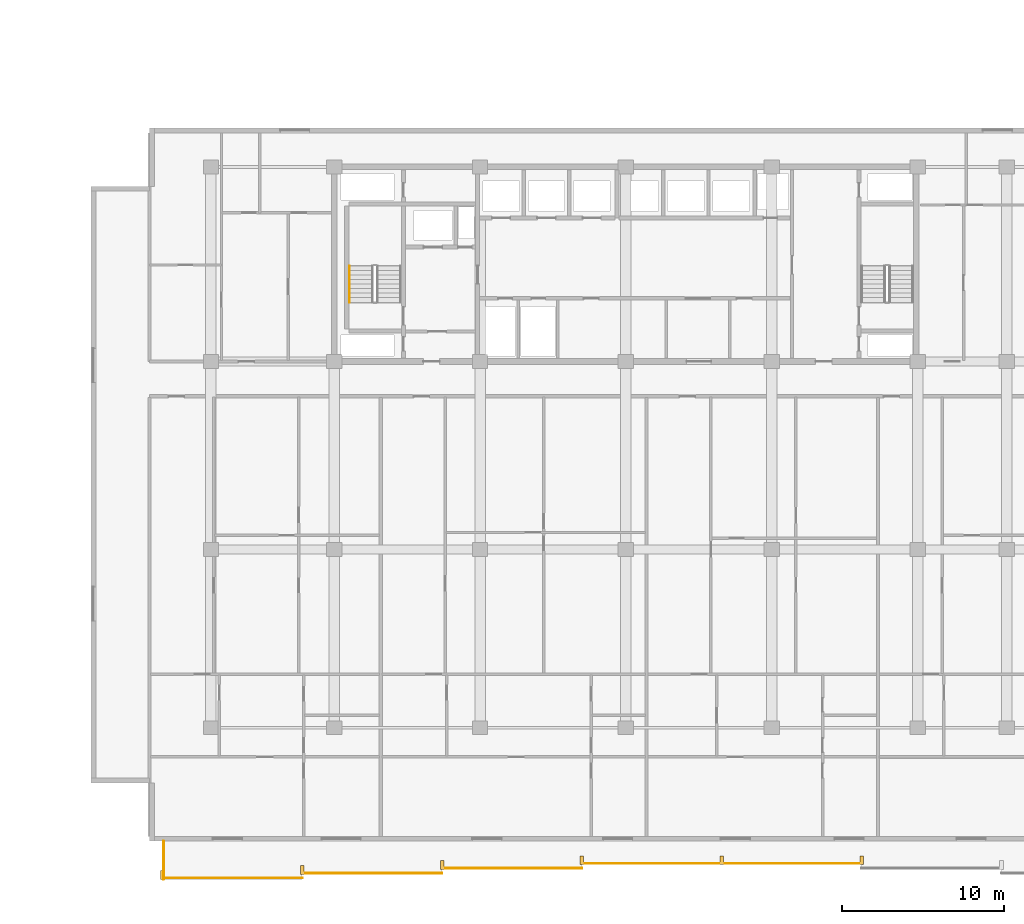
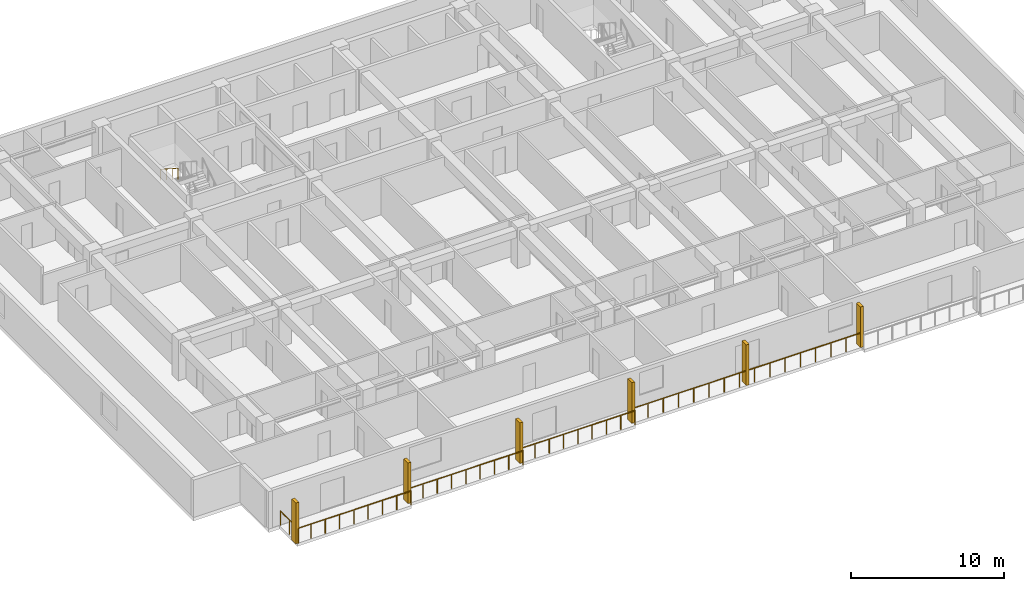
# One storey, part 19 of 23: 6 railings, 6 shading devices.
"""IFC4 building model written with IfcOpenShell, lengths in metres."""

from ifc_helpers import new_model, si_unit, direction, frame, origin, origin_2d, place, context, subcontext, project, spatial, rectangle, circle, extrude, material, type_object, element, save


model = new_model("IFC4")

# Units and contexts
model_context = context("Model", 3, precision=1e-05, world=origin(), true_north=direction((0.0, 1.0)))
body_context = subcontext(model_context, "Body", "Model", "MODEL_VIEW")
ifc_project = project(units=[si_unit("LENGTHUNIT", "METRE"), si_unit("AREAUNIT", "SQUARE_METRE"), si_unit("VOLUMEUNIT", "CUBIC_METRE"), si_unit("PLANEANGLEUNIT", "RADIAN"), si_unit("MASSUNIT", "GRAM", prefix="KILO")], contexts=[model_context])

# Site, building, storey
site_placement = place(None, origin())
site = spatial("IfcSite", under=ifc_project, at=site_placement, CompositionType="ELEMENT")
building_placement = place(site_placement, origin())
building = spatial("IfcBuilding", under=site, at=building_placement, Name="Korimba Cascade Residences", CompositionType="ELEMENT")
storey_placement = place(building_placement, frame((0.0, 0.0, 33.75)))
storey = spatial("IfcBuildingStorey", under=building, at=storey_placement, Name="L08", CompositionType="ELEMENT", Elevation=33.75)

# Railings
ifc_material_1 = material(Name="Laminated Glass and Bronze Balustrade", Category="glass")
railing_type_1 = type_object("IfcRailingType", Name="RLG-LOG-1150", PredefinedType="BALUSTRADE", material=ifc_material_1)
railing_1_placement = place(storey_placement, frame((71.5, -13.469970703125, 0.0)))
element("IfcRailing", 1, at=railing_1_placement, inside=storey, type_object=railing_type_1, Name="L08 Perimeter Guardrail RLG-L08-T2-LOG-01", PredefinedType="BALUSTRADE", context=body_context, shape_type="SweptSolid", body=[
    extrude(circle(Radius=0.02392578125, at=origin_2d()), frame((0.0, 0.0, 1.1259765625), z_axis=(1.0, 0.0, 0.0), x_axis=(0.0, 1.0, 0.0)), (0.0, 0.0, 1.0), 8.628662109375),
    extrude(circle(Radius=0.02099609375, at=origin_2d()), origin(), (0.0, 0.0, 1.0), 1.101806640625),
    extrude(circle(Radius=0.02099609375, at=origin_2d()), frame((1.07861328125, 0.0, 0.0)), (0.0, 0.0, 1.0), 1.101806640625),
    extrude(circle(Radius=0.02099609375, at=origin_2d()), frame((2.1572265625, 0.0, 0.0)), (0.0, 0.0, 1.0), 1.101806640625),
    extrude(circle(Radius=0.02099609375, at=origin_2d()), frame((3.23583984375, 0.0, 0.0)), (0.0, 0.0, 1.0), 1.101806640625),
    extrude(circle(Radius=0.02099609375, at=origin_2d()), frame((4.314453125, 0.0, 0.0)), (0.0, 0.0, 1.0), 1.101806640625),
    extrude(circle(Radius=0.02099609375, at=origin_2d()), frame((5.392822265625, 0.0, 0.0)), (0.0, 0.0, 1.0), 1.101806640625),
    extrude(circle(Radius=0.02099609375, at=origin_2d()), frame((6.471435546875, 0.0, 0.0)), (0.0, 0.0, 1.0), 1.101806640625),
    extrude(circle(Radius=0.02099609375, at=origin_2d()), frame((7.550048828125, 0.0, 0.0)), (0.0, 0.0, 1.0), 1.101806640625),
    extrude(circle(Radius=0.02099609375, at=origin_2d()), frame((8.628662109375, 0.0, 0.0)), (0.0, 0.0, 1.0), 1.101806640625),
])
railing_2_placement = place(storey_placement, frame((80.128662109375, -13.169921875, 0.0)))
element("IfcRailing", 2, at=railing_2_placement, inside=storey, type_object=railing_type_1, Name="L08 Perimeter Guardrail RLG-L08-T2-LOG-02", PredefinedType="BALUSTRADE", context=body_context, shape_type="SweptSolid", body=[
    extrude(circle(Radius=0.02392578125, at=origin_2d()), frame((0.0, 0.0, 1.1259765625), z_axis=(1.0, 0.0, 0.0), x_axis=(0.0, 1.0, 0.0)), (0.0, 0.0, 1.0), 8.62841796875),
    extrude(circle(Radius=0.02099609375, at=origin_2d()), origin(), (0.0, 0.0, 1.0), 1.101806640625),
    extrude(circle(Radius=0.02099609375, at=origin_2d()), frame((1.07861328125, 0.0, 0.0)), (0.0, 0.0, 1.0), 1.101806640625),
    extrude(circle(Radius=0.02099609375, at=origin_2d()), frame((2.1572265625, 0.0, 0.0)), (0.0, 0.0, 1.0), 1.101806640625),
    extrude(circle(Radius=0.02099609375, at=origin_2d()), frame((3.235595703125, 0.0, 0.0)), (0.0, 0.0, 1.0), 1.101806640625),
    extrude(circle(Radius=0.02099609375, at=origin_2d()), frame((4.314208984375, 0.0, 0.0)), (0.0, 0.0, 1.0), 1.101806640625),
    extrude(circle(Radius=0.02099609375, at=origin_2d()), frame((5.392822265625, 0.0, 0.0)), (0.0, 0.0, 1.0), 1.101806640625),
    extrude(circle(Radius=0.02099609375, at=origin_2d()), frame((6.47119140625, 0.0, 0.0)), (0.0, 0.0, 1.0), 1.101806640625),
    extrude(circle(Radius=0.02099609375, at=origin_2d()), frame((7.5498046875, 0.0, 0.0)), (0.0, 0.0, 1.0), 1.101806640625),
    extrude(circle(Radius=0.02099609375, at=origin_2d()), frame((8.62841796875, 0.0, 0.0)), (0.0, 0.0, 1.0), 1.101806640625),
])
railing_3_placement = place(storey_placement, frame((88.757080078125, -12.8701171875, 0.0)))
element("IfcRailing", 3, at=railing_3_placement, inside=storey, type_object=railing_type_1, Name="L08 Perimeter Guardrail RLG-L08-T2-LOG-03", PredefinedType="BALUSTRADE", context=body_context, shape_type="SweptSolid", body=[
    extrude(circle(Radius=0.02392578125, at=origin_2d()), frame((0.0, 0.0, 1.1259765625), z_axis=(1.0, 0.0, 0.0), x_axis=(0.0, 1.0, 0.0)), (0.0, 0.0, 1.0), 8.628662109375),
    extrude(circle(Radius=0.02099609375, at=origin_2d()), origin(), (0.0, 0.0, 1.0), 1.101806640625),
    extrude(circle(Radius=0.02099609375, at=origin_2d()), frame((1.07861328125, 0.0, 0.0)), (0.0, 0.0, 1.0), 1.101806640625),
    extrude(circle(Radius=0.02099609375, at=origin_2d()), frame((2.1572265625, 0.0, 0.0)), (0.0, 0.0, 1.0), 1.101806640625),
    extrude(circle(Radius=0.02099609375, at=origin_2d()), frame((3.23583984375, 0.0, 0.0)), (0.0, 0.0, 1.0), 1.101806640625),
    extrude(circle(Radius=0.02099609375, at=origin_2d()), frame((4.314453125, 0.0, 0.0)), (0.0, 0.0, 1.0), 1.101806640625),
    extrude(circle(Radius=0.02099609375, at=origin_2d()), frame((5.392822265625, 0.0, 0.0)), (0.0, 0.0, 1.0), 1.101806640625),
    extrude(circle(Radius=0.02099609375, at=origin_2d()), frame((6.471435546875, 0.0, 0.0)), (0.0, 0.0, 1.0), 1.101806640625),
    extrude(circle(Radius=0.02099609375, at=origin_2d()), frame((7.550048828125, 0.0, 0.0)), (0.0, 0.0, 1.0), 1.101806640625),
    extrude(circle(Radius=0.02099609375, at=origin_2d()), frame((8.628662109375, 0.0, 0.0)), (0.0, 0.0, 1.0), 1.101806640625),
])
railing_4_placement = place(storey_placement, frame((97.3857421875, -12.570068359375, 0.0)))
element("IfcRailing", 4, at=railing_4_placement, inside=storey, type_object=railing_type_1, Name="L08 Perimeter Guardrail RLG-L08-T2-LOG-04", PredefinedType="BALUSTRADE", context=body_context, shape_type="SweptSolid", body=[
    extrude(circle(Radius=0.02392578125, at=origin_2d()), frame((0.0, 0.0, 1.1259765625), z_axis=(1.0, 0.0, 0.0), x_axis=(0.0, 1.0, 0.0)), (0.0, 0.0, 1.0), 17.257080078125),
    extrude(circle(Radius=0.02099609375, at=origin_2d()), origin(), (0.0, 0.0, 1.0), 1.101806640625),
    extrude(circle(Radius=0.02099609375, at=origin_2d()), frame((1.150390625, 0.0, 0.0)), (0.0, 0.0, 1.0), 1.101806640625),
    extrude(circle(Radius=0.02099609375, at=origin_2d()), frame((2.301025390625, 0.0, 0.0)), (0.0, 0.0, 1.0), 1.101806640625),
    extrude(circle(Radius=0.02099609375, at=origin_2d()), frame((3.451416015625, 0.0, 0.0)), (0.0, 0.0, 1.0), 1.101806640625),
    extrude(circle(Radius=0.02099609375, at=origin_2d()), frame((4.601806640625, 0.0, 0.0)), (0.0, 0.0, 1.0), 1.101806640625),
    extrude(circle(Radius=0.02099609375, at=origin_2d()), frame((5.75244140625, 0.0, 0.0)), (0.0, 0.0, 1.0), 1.101806640625),
    extrude(circle(Radius=0.02099609375, at=origin_2d()), frame((6.90283203125, 0.0, 0.0)), (0.0, 0.0, 1.0), 1.101806640625),
    extrude(circle(Radius=0.02099609375, at=origin_2d()), frame((8.05322265625, 0.0, 0.0)), (0.0, 0.0, 1.0), 1.101806640625),
    extrude(circle(Radius=0.02099609375, at=origin_2d()), frame((9.203857421875, 0.0, 0.0)), (0.0, 0.0, 1.0), 1.101806640625),
    extrude(circle(Radius=0.02099609375, at=origin_2d()), frame((10.354248046875, 0.0, 0.0)), (0.0, 0.0, 1.0), 1.101806640625),
    extrude(circle(Radius=0.02099609375, at=origin_2d()), frame((11.504638671875, 0.0, 0.0)), (0.0, 0.0, 1.0), 1.101806640625),
    extrude(circle(Radius=0.02099609375, at=origin_2d()), frame((12.6552734375, 0.0, 0.0)), (0.0, 0.0, 1.0), 1.101806640625),
    extrude(circle(Radius=0.02099609375, at=origin_2d()), frame((13.8056640625, 0.0, 0.0)), (0.0, 0.0, 1.0), 1.101806640625),
    extrude(circle(Radius=0.02099609375, at=origin_2d()), frame((14.9560546875, 0.0, 0.0)), (0.0, 0.0, 1.0), 1.101806640625),
    extrude(circle(Radius=0.02099609375, at=origin_2d()), frame((16.106689453125, 0.0, 0.0)), (0.0, 0.0, 1.0), 1.101806640625),
    extrude(circle(Radius=0.02099609375, at=origin_2d()), frame((17.257080078125, 0.0, 0.0)), (0.0, 0.0, 1.0), 1.101806640625),
])
railing_5_placement = place(storey_placement, frame((71.580078125, -11.199951171875, 0.0)))
element("IfcRailing", 5, at=railing_5_placement, inside=storey, type_object=railing_type_1, Name="L08 Perimeter Guardrail RLG-L08-T2-LOG-08", PredefinedType="BALUSTRADE", context=body_context, shape_type="SweptSolid", body=[
    extrude(circle(Radius=0.02392578125, at=origin_2d()), frame((0.0, 0.0, 1.1259765625), z_axis=(0.0, -1.0, 0.0), x_axis=(1.0, 0.0, 0.0)), (0.0, 0.0, 1.0), 2.35009765625),
    extrude(circle(Radius=0.02099609375, at=origin_2d()), origin(), (0.0, 0.0, 1.0), 1.101806640625),
    extrude(circle(Radius=0.02099609375, at=origin_2d()), frame((0.0, -1.175048828125, 0.0)), (0.0, 0.0, 1.0), 1.101806640625),
    extrude(circle(Radius=0.02099609375, at=origin_2d()), frame((0.0, -2.35009765625, 0.0)), (0.0, 0.0, 1.0), 1.101806640625),
])
ifc_material_2 = material(Name="Brushed Stainless Steel Handrail", Category="steel")
railing_type_2 = type_object("IfcRailingType", Name="RLG-ST-HR900", PredefinedType="HANDRAIL", material=ifc_material_2)
railing_6_placement = place(storey_placement, frame((83.050048828125, 24.2900390625, 1.989990234375)))
element("IfcRailing", 6, at=railing_6_placement, inside=storey, type_object=railing_type_2, Name="L08 ST-E1 stair handrail 2", PredefinedType="HANDRAIL", context=body_context, shape_type="SweptSolid", body=[
    extrude(circle(Radius=0.02392578125, at=origin_2d()), frame((0.0, 0.0, 0.8759765625), z_axis=(0.0, -0.840436612492, 0.541909863706), x_axis=(1.0, 0.0, 0.0)), (0.0, 0.0, 1.0), 2.665283203125),
    extrude(circle(Radius=0.02099609375, at=origin_2d()), origin(), (0.0, 0.0, 1.0), 0.851806640625),
    extrude(circle(Radius=0.02099609375, at=origin_2d()), frame((0.0, -0.74658203125, 0.4814453125)), (0.0, 0.0, 1.0), 0.851806640625),
    extrude(circle(Radius=0.02099609375, at=origin_2d()), frame((0.0, -1.493408203125, 0.962890625)), (0.0, 0.0, 1.0), 0.851806640625),
    extrude(circle(Radius=0.02099609375, at=origin_2d()), frame((0.0, -2.239990234375, 1.4443359375)), (0.0, 0.0, 1.0), 0.851806640625),
])

# Shading devices
ifc_material_3 = material(Name="Honed Sandstone Precast Fin", Category="masonry")
shading_device_type = type_object("IfcShadingDeviceType", Name="SHD-FIN-550", PredefinedType="USERDEFINED", material=ifc_material_3)
for number, where, z_axis, x_axis, name in (
    (7, (71.5, -13.27490234375, 0.0), (0.0, 0.0, 1.0), (1.0, 0.0, 0.0), "L08 T2 Warm-Stone Loggia Fin 1"),
    (8, (80.128662109375, -12.97509765625, 0.0), (0.0, 0.0, 1.0), (1.0, 0.0, 0.0), "L08 T2 Warm-Stone Loggia Fin 2"),
    (9, (88.757080078125, -12.675048828125, 0.0), (0.0, 0.0, 1.0), (1.0, 0.0, 0.0), "L08 T2 Warm-Stone Loggia Fin 3"),
    (10, (97.3857421875, -12.375, 0.0), (0.0, 0.0, 1.0), (1.0, 0.0, 0.0), "L08 T2 Warm-Stone Loggia Fin 4"),
    (11, (106.014404296875, -12.375, 0.0), (0.0, 0.0, 1.0), (1.0, 0.0, 0.0), "L08 T2 Warm-Stone Loggia Fin 5"),
    (12, (114.642822265625, -12.375, 0.0), (0.0, 0.0, 1.0), (1.0, 0.0, 0.0), "L08 T2 Warm-Stone Loggia Fin 6"),
):
    element("IfcShadingDevice", number, at=place(storey_placement, frame(where, z_axis=z_axis, x_axis=x_axis)), inside=storey, type_object=shading_device_type, Name=name, ObjectType="FIN", PredefinedType="USERDEFINED", context=body_context, shape_type="SweptSolid", body=[
        extrude(rectangle(XDim=0.219970703125, YDim=0.550048828125, at=origin_2d()), origin(), (0.0, 0.0, 1.0), 3.25),
    ])

save(model, "model.ifc")
